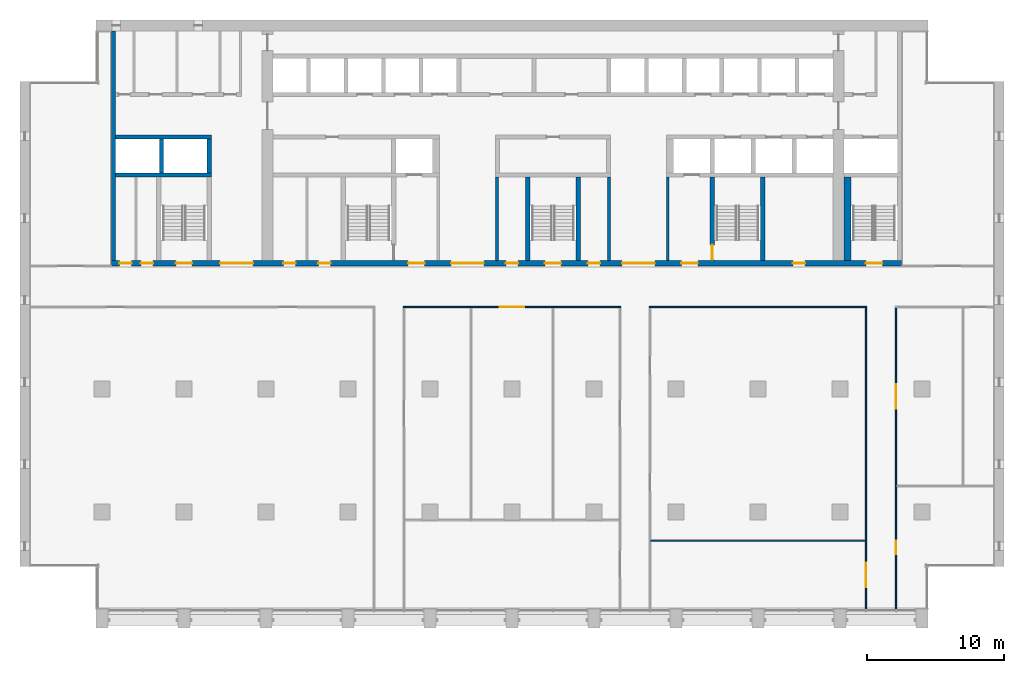
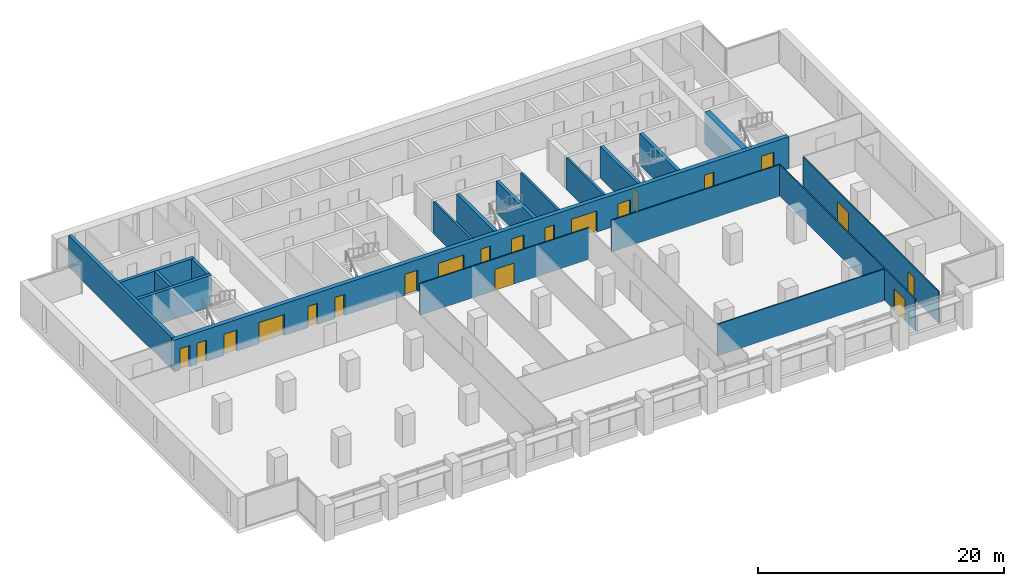
# One storey, part 9 of 15: 20 doors, 19 walls, 20 openings.
"""IFC4 building model written with IfcOpenShell, lengths in metres."""

from ifc_helpers import new_model, si_unit, direction, frame, frame_2d, origin, place, context, subcontext, project, spatial, rectangle, extrude, material, layer, layer_set, type_object, element, fill, save


model = new_model("IFC4")

# Units and contexts
model_context = context("Model", 3, precision=1e-05, world=origin(), true_north=direction((0.0, 1.0)))
body_context = subcontext(model_context, "Body", "Model", "MODEL_VIEW")
ifc_project = project(units=[si_unit("LENGTHUNIT", "METRE"), si_unit("AREAUNIT", "SQUARE_METRE"), si_unit("VOLUMEUNIT", "CUBIC_METRE"), si_unit("PLANEANGLEUNIT", "RADIAN"), si_unit("MASSUNIT", "GRAM", prefix="KILO")], contexts=[model_context])

# Site, building, storey
site_placement = place(None, origin())
site = spatial("IfcSite", under=ifc_project, at=site_placement, CompositionType="ELEMENT")
building_placement = place(site_placement, origin())
building = spatial("IfcBuilding", under=site, at=building_placement, Name="Calvaro Tower", CompositionType="ELEMENT")
storey_placement = place(building_placement, frame((0.0, 0.0, 155.0)))
storey = spatial("IfcBuildingStorey", under=building, at=storey_placement, Name="L39", CompositionType="ELEMENT", Elevation=155.0)

# Walls
ifc_material_1 = material(Name="Blockwork partition", Category="masonry")
ifc_layer_1 = layer(ifc_material_1, 0.199951171875)
ifc_layer_set_1 = layer_set([ifc_layer_1], Name="Blockwork partition")
wall_type_1 = type_object("IfcWallType", Name="Core partition 200 REI 120", PredefinedType="PARTITIONING", material=ifc_layer_set_1)
for number, where, z_axis, x_axis, name in (
    (1, (34.89990234375, 28.39990234375, 0.0), (0.0, 0.0, 1.0), (0.0, 1.0, 0.0), "Core partition"),
    (2, (43.10009765625, 28.39990234375, 0.0), (0.0, 0.0, 1.0), (0.0, 1.0, 0.0), "Core partition"),
    (3, (47.39990234375, 28.39990234375, 0.0), (0.0, 0.0, 1.0), (0.0, 1.0, 0.0), "Core partition"),
):
    element("IfcWall", number, at=place(storey_placement, frame(where, z_axis=z_axis, x_axis=x_axis)), inside=storey, type_object=wall_type_1, Name=name, PredefinedType="PARTITIONING", context=body_context, shape_type="SweptSolid", body=[
        extrude(rectangle(XDim=6.10009765625, YDim=0.199951171875, at=frame_2d((3.050048828125, 0.0))), origin(), (0.0, 0.0, 1.0), 3.14990234375),
    ])
ifc_material_2 = material(Name="Concrete C60/75", Category="concrete")
ifc_layer_2 = layer(ifc_material_2, 0.300048828125)
ifc_layer_set_2 = layer_set([ifc_layer_2], Name="Concrete C60/75")
wall_type_2 = type_object("IfcWallType", Name="Core wall C60/75 300", PredefinedType="SHEAR", material=ifc_layer_set_2)
wall_1_placement = place(storey_placement, frame((6.85009765625, 28.39990234375, 0.0), z_axis=(0.0, 0.0, 1.0), x_axis=(0.0, 1.0, 0.0)))
element("IfcWall", 4, at=wall_1_placement, inside=storey, type_object=wall_type_2, Name="Core wall, boundary", PredefinedType="SHEAR", context=body_context, shape_type="SweptSolid", body=[
    extrude(rectangle(XDim=16.800048828125, YDim=0.300048828125, at=frame_2d((8.39990234375, 0.0))), origin(), (0.0, 0.0, 1.0), 3.14990234375),
])
for number, where, z_axis, x_axis, name in (
    (5, (37.14990234375, 28.39990234375, 0.0), (0.0, 0.0, 1.0), (0.0, 1.0, 0.0), "Core wall, stair enclosure"),
    (6, (40.85009765625, 28.39990234375, 0.0), (0.0, 0.0, 1.0), (0.0, 1.0, 0.0), "Core wall, stair enclosure"),
):
    element("IfcWall", number, at=place(storey_placement, frame(where, z_axis=z_axis, x_axis=x_axis)), inside=storey, type_object=wall_type_2, Name=name, PredefinedType="SHEAR", context=body_context, shape_type="SweptSolid", body=[
        extrude(rectangle(XDim=6.10009765625, YDim=0.300048828125, at=frame_2d((3.050048828125, 0.0))), origin(), (0.0, 0.0, 1.0), 3.14990234375),
    ])

# Wall, opening, door
wall_2_placement = place(storey_placement, frame((50.64990234375, 34.5, 0.0), z_axis=(0.0, 0.0, 1.0), x_axis=(0.0, -1.0, 0.0)))
wall_2 = element("IfcWall", 7, at=wall_2_placement, inside=storey, type_object=wall_type_2, Name="Core wall, stair enclosure", PredefinedType="SHEAR", context=body_context, shape_type="SweptSolid", body=[
    extrude(rectangle(XDim=6.10009765625, YDim=0.300048828125, at=frame_2d((3.050048828125, 0.0))), origin(), (0.0, 0.0, 1.0), 3.14990234375),
])
opening_1_placement = place(wall_2_placement, frame((4.949951171875, 0.0, 0.0)))
opening_1 = element("IfcOpeningElement", 8, at=opening_1_placement, cuts=wall_2, Name="Opening FD11D", PredefinedType="OPENING", context=body_context, shape_type="SweptSolid", body=[
    extrude(rectangle(XDim=1.10009765625, YDim=2.10009765625, at=frame_2d((0.550048828125, 1.050048828125))), frame((0.0, 0.159912109375, 0.0), z_axis=(0.0, -1.0, 0.0), x_axis=(1.0, 0.0, 0.0)), (0.0, 0.0, 1.0), 0.320068359375),
])
ifc_material_3 = material(Name="Steel door set", Category="steel")
door_type_1 = type_object("IfcDoorType", Name="Fire door 1100 FD30S", OperationType="SINGLE_SWING_LEFT", PredefinedType="DOOR", material=ifc_material_3)
door_1_placement = place(opening_1_placement, origin())
door_1 = element("IfcDoor", 9, at=door_1_placement, inside=storey, type_object=door_type_1, Name="Fire door", OperationType="SINGLE_SWING_RIGHT", OverallHeight=2.10009765625, OverallWidth=1.10009765625, PredefinedType="DOOR", context=body_context, shape_type="SweptSolid", body=[
    extrude(rectangle(XDim=1.10009765625, YDim=2.10009765625, at=frame_2d((0.550048828125, 1.050048828125))), frame((0.0, 0.02490234375, 0.0), z_axis=(0.0, -1.0, 0.0), x_axis=(1.0, 0.0, 0.0)), (0.0, 0.0, 1.0), 0.050048828125),
])
fill(opening_1, door_1)

# Walls
wall_3_placement = place(storey_placement, frame((54.35009765625, 28.39990234375, 0.0), z_axis=(0.0, 0.0, 1.0), x_axis=(0.0, 1.0, 0.0)))
element("IfcWall", 10, at=wall_3_placement, inside=storey, type_object=wall_type_2, Name="Core wall, stair enclosure", PredefinedType="SHEAR", context=body_context, shape_type="SweptSolid", body=[
    extrude(rectangle(XDim=6.10009765625, YDim=0.300048828125, at=frame_2d((3.050048828125, 0.0))), origin(), (0.0, 0.0, 1.0), 3.14990234375),
])
for number, where, z_axis, x_axis, name in (
    (11, (7.0, 34.64990234375, 0.0), (0.0, 0.0, 1.0), (1.0, 0.0, 0.0), "Core wall, lift shaft"),
    (12, (7.0, 37.449951171875, 0.0), (0.0, 0.0, 1.0), (1.0, 0.0, 0.0), "Core wall, lift shaft"),
):
    element("IfcWall", number, at=place(storey_placement, frame(where, z_axis=z_axis, x_axis=x_axis)), inside=storey, type_object=wall_type_2, Name=name, PredefinedType="SHEAR", context=body_context, shape_type="SweptSolid", body=[
        extrude(rectangle(XDim=7.0, YDim=0.300048828125, at=frame_2d((3.5, 0.0))), origin(), (0.0, 0.0, 1.0), 3.14990234375),
    ])
for number, where, z_axis, x_axis, name in (
    (13, (13.85009765625, 34.800048828125, 0.0), (0.0, 0.0, 1.0), (0.0, 1.0, 0.0), "Core wall, lift shaft"),
    (14, (10.35009765625, 34.800048828125, 0.0), (0.0, 0.0, 1.0), (0.0, 1.0, 0.0), "Core wall, lift shaft"),
):
    element("IfcWall", number, at=place(storey_placement, frame(where, z_axis=z_axis, x_axis=x_axis)), inside=storey, type_object=wall_type_2, Name=name, PredefinedType="SHEAR", context=body_context, shape_type="SweptSolid", body=[
        extrude(rectangle(XDim=2.5, YDim=0.300048828125, at=frame_2d((1.25, 0.0))), origin(), (0.0, 0.0, 1.0), 3.14990234375),
    ])

# Wall, openings, doors
ifc_material_4 = material(Name="Concrete C60/75", Category="concrete")
ifc_layer_3 = layer(ifc_material_4, 0.39990234375)
ifc_layer_set_3 = layer_set([ifc_layer_3], Name="Concrete C60/75")
wall_type_3 = type_object("IfcWallType", Name="Core wall C60/75 400", PredefinedType="SHEAR", material=ifc_layer_set_3)
wall_4_placement = place(storey_placement, frame((6.699951171875, 28.199951171875, 0.0), z_axis=(0.0, 0.0, 1.0), x_axis=(1.0, 0.0, 0.0)))
wall_4 = element("IfcWall", 15, at=wall_4_placement, inside=storey, type_object=wall_type_3, Name="Core wall, front", PredefinedType="SHEAR", context=body_context, shape_type="SweptSolid", body=[
    extrude(rectangle(XDim=57.800048828125, YDim=0.39990234375, at=frame_2d((28.89990234375, 0.0))), origin(), (0.0, 0.0, 1.0), 3.14990234375),
])
opening_2_placement = place(wall_4_placement, frame((12.5625, 0.0, 0.0)))
opening_2 = element("IfcOpeningElement", 16, at=opening_2_placement, cuts=wall_4, Name="Opening RD9E", PredefinedType="OPENING", context=body_context, shape_type="SweptSolid", body=[
    extrude(rectangle(XDim=0.89990234375, YDim=2.10009765625, at=frame_2d((0.449951171875, 1.050048828125))), frame((0.0, 0.2099609375, 0.0), z_axis=(0.0, -1.0, 0.0), x_axis=(1.0, 0.0, 0.0)), (0.0, 0.0, 1.0), 0.419921875),
])
opening_3_placement = place(wall_4_placement, frame((15.137451171875, 0.0, 0.0)))
opening_3 = element("IfcOpeningElement", 17, at=opening_3_placement, cuts=wall_4, Name="Opening RD9C", PredefinedType="OPENING", context=body_context, shape_type="SweptSolid", body=[
    extrude(rectangle(XDim=0.89990234375, YDim=2.10009765625, at=frame_2d((0.449951171875, 1.050048828125))), frame((0.0, 0.2099609375, 0.0), z_axis=(0.0, -1.0, 0.0), x_axis=(1.0, 0.0, 0.0)), (0.0, 0.0, 1.0), 0.419921875),
])
opening_4_placement = place(wall_4_placement, frame((49.85009765625, 0.0, 0.0)))
opening_4 = element("IfcOpeningElement", 18, at=opening_4_placement, cuts=wall_4, Name="Opening RD9E", PredefinedType="OPENING", context=body_context, shape_type="SweptSolid", body=[
    extrude(rectangle(XDim=0.89990234375, YDim=2.10009765625, at=frame_2d((0.449951171875, 1.050048828125))), frame((0.0, 0.2099609375, 0.0), z_axis=(0.0, -1.0, 0.0), x_axis=(1.0, 0.0, 0.0)), (0.0, 0.0, 1.0), 0.419921875),
])
opening_5_placement = place(wall_4_placement, frame((0.5625, 0.0, 0.0)))
opening_5 = element("IfcOpeningElement", 19, at=opening_5_placement, cuts=wall_4, Name="Opening RD9C", PredefinedType="OPENING", context=body_context, shape_type="SweptSolid", body=[
    extrude(rectangle(XDim=0.89990234375, YDim=2.10009765625, at=frame_2d((0.449951171875, 1.050048828125))), frame((0.0, 0.2099609375, 0.0), z_axis=(0.0, -1.0, 0.0), x_axis=(1.0, 0.0, 0.0)), (0.0, 0.0, 1.0), 0.419921875),
])
opening_6_placement = place(wall_4_placement, frame((2.137451171875, 0.0, 0.0)))
opening_6 = element("IfcOpeningElement", 20, at=opening_6_placement, cuts=wall_4, Name="Opening RD9E", PredefinedType="OPENING", context=body_context, shape_type="SweptSolid", body=[
    extrude(rectangle(XDim=0.89990234375, YDim=2.10009765625, at=frame_2d((0.449951171875, 1.050048828125))), frame((0.0, 0.2099609375, 0.0), z_axis=(0.0, -1.0, 0.0), x_axis=(1.0, 0.0, 0.0)), (0.0, 0.0, 1.0), 0.419921875),
])
opening_7_placement = place(wall_4_placement, frame((4.699951171875, 0.0, 0.0)))
opening_7 = element("IfcOpeningElement", 21, at=opening_7_placement, cuts=wall_4, Name="Opening SD12D", PredefinedType="OPENING", context=body_context, shape_type="SweptSolid", body=[
    extrude(rectangle(XDim=1.199951171875, YDim=2.10009765625, at=frame_2d((0.60009765625, 1.050048828125))), frame((0.0, 0.2099609375, 0.0), z_axis=(0.0, -1.0, 0.0), x_axis=(1.0, 0.0, 0.0)), (0.0, 0.0, 1.0), 0.419921875),
])
opening_8_placement = place(wall_4_placement, frame((31.699951171875, 0.0, 0.0)))
opening_8 = element("IfcOpeningElement", 22, at=opening_8_placement, cuts=wall_4, Name="Opening SD12D", PredefinedType="OPENING", context=body_context, shape_type="SweptSolid", body=[
    extrude(rectangle(XDim=1.199951171875, YDim=2.10009765625, at=frame_2d((0.60009765625, 1.050048828125))), frame((0.0, 0.2099609375, 0.0), z_axis=(0.0, -1.0, 0.0), x_axis=(1.0, 0.0, 0.0)), (0.0, 0.0, 1.0), 0.419921875),
])
opening_9_placement = place(wall_4_placement, frame((55.199951171875, 0.0, 0.0)))
opening_9 = element("IfcOpeningElement", 23, at=opening_9_placement, cuts=wall_4, Name="Opening SD12D", PredefinedType="OPENING", context=body_context, shape_type="SweptSolid", body=[
    extrude(rectangle(XDim=1.199951171875, YDim=2.10009765625, at=frame_2d((0.60009765625, 1.050048828125))), frame((0.0, 0.2099609375, 0.0), z_axis=(0.0, -1.0, 0.0), x_axis=(1.0, 0.0, 0.0)), (0.0, 0.0, 1.0), 0.419921875),
])
opening_10_placement = place(wall_4_placement, frame((21.699951171875, 0.0, 0.0)))
opening_10 = element("IfcOpeningElement", 24, at=opening_10_placement, cuts=wall_4, Name="Opening FD12F", PredefinedType="OPENING", context=body_context, shape_type="SweptSolid", body=[
    extrude(rectangle(XDim=1.199951171875, YDim=2.10009765625, at=frame_2d((0.60009765625, 1.050048828125))), frame((0.0, 0.2099609375, 0.0), z_axis=(0.0, -1.0, 0.0), x_axis=(1.0, 0.0, 0.0)), (0.0, 0.0, 1.0), 0.419921875),
])
opening_11_placement = place(wall_4_placement, frame((41.699951171875, 0.0, 0.0)))
opening_11 = element("IfcOpeningElement", 25, at=opening_11_placement, cuts=wall_4, Name="Opening FD12F", PredefinedType="OPENING", context=body_context, shape_type="SweptSolid", body=[
    extrude(rectangle(XDim=1.199951171875, YDim=2.10009765625, at=frame_2d((0.60009765625, 1.050048828125))), frame((0.0, 0.2099609375, 0.0), z_axis=(0.0, -1.0, 0.0), x_axis=(1.0, 0.0, 0.0)), (0.0, 0.0, 1.0), 0.419921875),
])
opening_12_placement = place(wall_4_placement, frame((24.85009765625, 0.0, 0.0)))
opening_12 = element("IfcOpeningElement", 26, at=opening_12_placement, cuts=wall_4, Name="Opening DD24D", PredefinedType="OPENING", context=body_context, shape_type="SweptSolid", body=[
    extrude(rectangle(XDim=2.39990234375, YDim=2.10009765625, at=frame_2d((1.199951171875, 1.050048828125))), frame((0.0, 0.2099609375, 0.0), z_axis=(0.0, -1.0, 0.0), x_axis=(1.0, 0.0, 0.0)), (0.0, 0.0, 1.0), 0.419921875),
])
opening_13_placement = place(wall_4_placement, frame((37.35009765625, 0.0, 0.0)))
opening_13 = element("IfcOpeningElement", 27, at=opening_13_placement, cuts=wall_4, Name="Opening DD24D", PredefinedType="OPENING", context=body_context, shape_type="SweptSolid", body=[
    extrude(rectangle(XDim=2.39990234375, YDim=2.10009765625, at=frame_2d((1.199951171875, 1.050048828125))), frame((0.0, 0.2099609375, 0.0), z_axis=(0.0, -1.0, 0.0), x_axis=(1.0, 0.0, 0.0)), (0.0, 0.0, 1.0), 0.419921875),
])
opening_14_placement = place(wall_4_placement, frame((7.949951171875, 0.0, 0.0)))
opening_14 = element("IfcOpeningElement", 28, at=opening_14_placement, cuts=wall_4, Name="Opening DD24D", PredefinedType="OPENING", context=body_context, shape_type="SweptSolid", body=[
    extrude(rectangle(XDim=2.39990234375, YDim=2.10009765625, at=frame_2d((1.199951171875, 1.050048828125))), frame((0.0, 0.2099609375, 0.0), z_axis=(0.0, -1.0, 0.0), x_axis=(1.0, 0.0, 0.0)), (0.0, 0.0, 1.0), 0.419921875),
])
opening_15_placement = place(wall_4_placement, frame((28.85009765625, 0.0, 0.0)))
opening_15 = element("IfcOpeningElement", 29, at=opening_15_placement, cuts=wall_4, Name="Opening RD9E", PredefinedType="OPENING", context=body_context, shape_type="SweptSolid", body=[
    extrude(rectangle(XDim=0.89990234375, YDim=2.10009765625, at=frame_2d((0.449951171875, 1.050048828125))), frame((0.0, 0.2099609375, 0.0), z_axis=(0.0, -1.0, 0.0), x_axis=(1.0, 0.0, 0.0)), (0.0, 0.0, 1.0), 0.419921875),
])
opening_16_placement = place(wall_4_placement, frame((34.85009765625, 0.0, 0.0)))
opening_16 = element("IfcOpeningElement", 30, at=opening_16_placement, cuts=wall_4, Name="Opening RD9E", PredefinedType="OPENING", context=body_context, shape_type="SweptSolid", body=[
    extrude(rectangle(XDim=0.89990234375, YDim=2.10009765625, at=frame_2d((0.449951171875, 1.050048828125))), frame((0.0, 0.2099609375, 0.0), z_axis=(0.0, -1.0, 0.0), x_axis=(1.0, 0.0, 0.0)), (0.0, 0.0, 1.0), 0.419921875),
])
ifc_material_5 = material(Name="Steel door set", Category="steel")
door_type_2 = type_object("IfcDoorType", Name="Fire door 1200 FD60S", OperationType="SINGLE_SWING_LEFT", PredefinedType="DOOR", material=ifc_material_5)
door_2_placement = place(opening_10_placement, origin())
door_2 = element("IfcDoor", 31, at=door_2_placement, inside=storey, type_object=door_type_2, Name="Fire door", OperationType="SINGLE_SWING_LEFT", OverallHeight=2.10009765625, OverallWidth=1.199951171875, PredefinedType="DOOR", context=body_context, shape_type="SweptSolid", body=[
    extrude(rectangle(XDim=1.199951171875, YDim=2.10009765625, at=frame_2d((0.60009765625, 1.050048828125))), frame((0.0, 0.02490234375, 0.0), z_axis=(0.0, -1.0, 0.0), x_axis=(1.0, 0.0, 0.0)), (0.0, 0.0, 1.0), 0.050048828125),
])
fill(opening_10, door_2)
door_3_placement = place(opening_11_placement, origin())
door_3 = element("IfcDoor", 32, at=door_3_placement, inside=storey, type_object=door_type_2, Name="Fire door", OperationType="SINGLE_SWING_LEFT", OverallHeight=2.10009765625, OverallWidth=1.199951171875, PredefinedType="DOOR", context=body_context, shape_type="SweptSolid", body=[
    extrude(rectangle(XDim=1.199951171875, YDim=2.10009765625, at=frame_2d((0.60009765625, 1.050048828125))), frame((0.0, 0.02490234375, 0.0), z_axis=(0.0, -1.0, 0.0), x_axis=(1.0, 0.0, 0.0)), (0.0, 0.0, 1.0), 0.050048828125),
])
fill(opening_11, door_3)
ifc_material_6 = material(Name="Steel door set", Category="steel")
door_type_3 = type_object("IfcDoorType", Name="Lobby double door 2400 FD30S", OperationType="DOUBLE_DOOR_SINGLE_SWING", PredefinedType="DOOR", material=ifc_material_6)
door_4_placement = place(opening_12_placement, origin())
door_4 = element("IfcDoor", 33, at=door_4_placement, inside=storey, type_object=door_type_3, Name="Lobby double door", OperationType="DOUBLE_DOOR_SINGLE_SWING", OverallHeight=2.10009765625, OverallWidth=2.39990234375, PredefinedType="DOOR", context=body_context, shape_type="SweptSolid", body=[
    extrude(rectangle(XDim=2.39990234375, YDim=2.10009765625, at=frame_2d((1.199951171875, 1.050048828125))), frame((0.0, 0.02490234375, 0.0), z_axis=(0.0, -1.0, 0.0), x_axis=(1.0, 0.0, 0.0)), (0.0, 0.0, 1.0), 0.050048828125),
])
fill(opening_12, door_4)
door_5_placement = place(opening_13_placement, origin())
door_5 = element("IfcDoor", 34, at=door_5_placement, inside=storey, type_object=door_type_3, Name="Lobby double door", OperationType="DOUBLE_DOOR_SINGLE_SWING", OverallHeight=2.10009765625, OverallWidth=2.39990234375, PredefinedType="DOOR", context=body_context, shape_type="SweptSolid", body=[
    extrude(rectangle(XDim=2.39990234375, YDim=2.10009765625, at=frame_2d((1.199951171875, 1.050048828125))), frame((0.0, 0.02490234375, 0.0), z_axis=(0.0, -1.0, 0.0), x_axis=(1.0, 0.0, 0.0)), (0.0, 0.0, 1.0), 0.050048828125),
])
fill(opening_13, door_5)
door_6_placement = place(opening_14_placement, origin())
door_6 = element("IfcDoor", 35, at=door_6_placement, inside=storey, type_object=door_type_3, Name="Lobby double door", OperationType="DOUBLE_DOOR_SINGLE_SWING", OverallHeight=2.10009765625, OverallWidth=2.39990234375, PredefinedType="DOOR", context=body_context, shape_type="SweptSolid", body=[
    extrude(rectangle(XDim=2.39990234375, YDim=2.10009765625, at=frame_2d((1.199951171875, 1.050048828125))), frame((0.0, 0.02490234375, 0.0), z_axis=(0.0, -1.0, 0.0), x_axis=(1.0, 0.0, 0.0)), (0.0, 0.0, 1.0), 0.050048828125),
])
fill(opening_14, door_6)
ifc_material_7 = material(Name="Steel door set", Category="steel")
door_type_4 = type_object("IfcDoorType", Name="Room door 900 FD30", OperationType="SINGLE_SWING_LEFT", PredefinedType="DOOR", material=ifc_material_7)
door_7_placement = place(opening_3_placement, origin())
door_7 = element("IfcDoor", 36, at=door_7_placement, inside=storey, type_object=door_type_4, Name="Room door", OperationType="SINGLE_SWING_RIGHT", OverallHeight=2.10009765625, OverallWidth=0.89990234375, PredefinedType="DOOR", context=body_context, shape_type="SweptSolid", body=[
    extrude(rectangle(XDim=0.89990234375, YDim=2.10009765625, at=frame_2d((0.449951171875, 1.050048828125))), frame((0.0, 0.02490234375, 0.0), z_axis=(0.0, -1.0, 0.0), x_axis=(1.0, 0.0, 0.0)), (0.0, 0.0, 1.0), 0.050048828125),
])
fill(opening_3, door_7)
door_8_placement = place(opening_5_placement, origin())
door_8 = element("IfcDoor", 37, at=door_8_placement, inside=storey, type_object=door_type_4, Name="Room door", OperationType="SINGLE_SWING_LEFT", OverallHeight=2.10009765625, OverallWidth=0.89990234375, PredefinedType="DOOR", context=body_context, shape_type="SweptSolid", body=[
    extrude(rectangle(XDim=0.89990234375, YDim=2.10009765625, at=frame_2d((0.449951171875, 1.050048828125))), frame((0.0, 0.02490234375, 0.0), z_axis=(0.0, -1.0, 0.0), x_axis=(1.0, 0.0, 0.0)), (0.0, 0.0, 1.0), 0.050048828125),
])
fill(opening_5, door_8)
ifc_material_8 = material(Name="Steel door set", Category="steel")
door_type_5 = type_object("IfcDoorType", Name="Room door 900 FD60", OperationType="SINGLE_SWING_LEFT", PredefinedType="DOOR", material=ifc_material_8)
door_9_placement = place(opening_2_placement, origin())
door_9 = element("IfcDoor", 38, at=door_9_placement, inside=storey, type_object=door_type_5, Name="Room door", OperationType="SINGLE_SWING_LEFT", OverallHeight=2.10009765625, OverallWidth=0.89990234375, PredefinedType="DOOR", context=body_context, shape_type="SweptSolid", body=[
    extrude(rectangle(XDim=0.89990234375, YDim=2.10009765625, at=frame_2d((0.449951171875, 1.050048828125))), frame((0.0, 0.02490234375, 0.0), z_axis=(0.0, -1.0, 0.0), x_axis=(1.0, 0.0, 0.0)), (0.0, 0.0, 1.0), 0.050048828125),
])
fill(opening_2, door_9)
door_10_placement = place(opening_4_placement, origin())
door_10 = element("IfcDoor", 39, at=door_10_placement, inside=storey, type_object=door_type_5, Name="Room door", OperationType="SINGLE_SWING_LEFT", OverallHeight=2.10009765625, OverallWidth=0.89990234375, PredefinedType="DOOR", context=body_context, shape_type="SweptSolid", body=[
    extrude(rectangle(XDim=0.89990234375, YDim=2.10009765625, at=frame_2d((0.449951171875, 1.050048828125))), frame((0.0, 0.02490234375, 0.0), z_axis=(0.0, -1.0, 0.0), x_axis=(1.0, 0.0, 0.0)), (0.0, 0.0, 1.0), 0.050048828125),
])
fill(opening_4, door_10)
door_11_placement = place(opening_6_placement, origin())
door_11 = element("IfcDoor", 40, at=door_11_placement, inside=storey, type_object=door_type_5, Name="Room door", OperationType="SINGLE_SWING_LEFT", OverallHeight=2.10009765625, OverallWidth=0.89990234375, PredefinedType="DOOR", context=body_context, shape_type="SweptSolid", body=[
    extrude(rectangle(XDim=0.89990234375, YDim=2.10009765625, at=frame_2d((0.449951171875, 1.050048828125))), frame((0.0, 0.02490234375, 0.0), z_axis=(0.0, -1.0, 0.0), x_axis=(1.0, 0.0, 0.0)), (0.0, 0.0, 1.0), 0.050048828125),
])
fill(opening_6, door_11)
door_12_placement = place(opening_15_placement, origin())
door_12 = element("IfcDoor", 41, at=door_12_placement, inside=storey, type_object=door_type_5, Name="Room door", OperationType="SINGLE_SWING_LEFT", OverallHeight=2.10009765625, OverallWidth=0.89990234375, PredefinedType="DOOR", context=body_context, shape_type="SweptSolid", body=[
    extrude(rectangle(XDim=0.89990234375, YDim=2.10009765625, at=frame_2d((0.449951171875, 1.050048828125))), frame((0.0, 0.02490234375, 0.0), z_axis=(0.0, -1.0, 0.0), x_axis=(1.0, 0.0, 0.0)), (0.0, 0.0, 1.0), 0.050048828125),
])
fill(opening_15, door_12)
door_13_placement = place(opening_16_placement, origin())
door_13 = element("IfcDoor", 42, at=door_13_placement, inside=storey, type_object=door_type_5, Name="Room door", OperationType="SINGLE_SWING_LEFT", OverallHeight=2.10009765625, OverallWidth=0.89990234375, PredefinedType="DOOR", context=body_context, shape_type="SweptSolid", body=[
    extrude(rectangle(XDim=0.89990234375, YDim=2.10009765625, at=frame_2d((0.449951171875, 1.050048828125))), frame((0.0, 0.02490234375, 0.0), z_axis=(0.0, -1.0, 0.0), x_axis=(1.0, 0.0, 0.0)), (0.0, 0.0, 1.0), 0.050048828125),
])
fill(opening_16, door_13)
ifc_material_9 = material(Name="Steel door set", Category="steel")
door_type_6 = type_object("IfcDoorType", Name="Stair door 1200 FD30S", OperationType="SINGLE_SWING_LEFT", PredefinedType="DOOR", material=ifc_material_9)
door_14_placement = place(opening_7_placement, origin())
door_14 = element("IfcDoor", 43, at=door_14_placement, inside=storey, type_object=door_type_6, Name="Stair door", OperationType="SINGLE_SWING_LEFT", OverallHeight=2.10009765625, OverallWidth=1.199951171875, PredefinedType="DOOR", context=body_context, shape_type="SweptSolid", body=[
    extrude(rectangle(XDim=1.199951171875, YDim=2.10009765625, at=frame_2d((0.60009765625, 1.050048828125))), frame((0.0, 0.02490234375, 0.0), z_axis=(0.0, -1.0, 0.0), x_axis=(1.0, 0.0, 0.0)), (0.0, 0.0, 1.0), 0.050048828125),
])
fill(opening_7, door_14)
door_15_placement = place(opening_8_placement, origin())
door_15 = element("IfcDoor", 44, at=door_15_placement, inside=storey, type_object=door_type_6, Name="Stair door", OperationType="SINGLE_SWING_LEFT", OverallHeight=2.10009765625, OverallWidth=1.199951171875, PredefinedType="DOOR", context=body_context, shape_type="SweptSolid", body=[
    extrude(rectangle(XDim=1.199951171875, YDim=2.10009765625, at=frame_2d((0.60009765625, 1.050048828125))), frame((0.0, 0.02490234375, 0.0), z_axis=(0.0, -1.0, 0.0), x_axis=(1.0, 0.0, 0.0)), (0.0, 0.0, 1.0), 0.050048828125),
])
fill(opening_8, door_15)
door_16_placement = place(opening_9_placement, origin())
door_16 = element("IfcDoor", 45, at=door_16_placement, inside=storey, type_object=door_type_6, Name="Stair door", OperationType="SINGLE_SWING_LEFT", OverallHeight=2.10009765625, OverallWidth=1.199951171875, PredefinedType="DOOR", context=body_context, shape_type="SweptSolid", body=[
    extrude(rectangle(XDim=1.199951171875, YDim=2.10009765625, at=frame_2d((0.60009765625, 1.050048828125))), frame((0.0, 0.02490234375, 0.0), z_axis=(0.0, -1.0, 0.0), x_axis=(1.0, 0.0, 0.0)), (0.0, 0.0, 1.0), 0.050048828125),
])
fill(opening_9, door_16)

# Walls
ifc_material_10 = material(Name="Concrete C60/75", Category="concrete")
ifc_layer_4 = layer(ifc_material_10, 0.5)
ifc_layer_set_4 = layer_set([ifc_layer_4], Name="Concrete C60/75")
wall_type_4 = type_object("IfcWallType", Name="Core wall C60/75 500", PredefinedType="SHEAR", material=ifc_layer_set_4)
wall_5_placement = place(storey_placement, frame((60.550048828125, 28.39990234375, 0.0), z_axis=(0.0, 0.0, 1.0), x_axis=(0.0, 1.0, 0.0)))
element("IfcWall", 46, at=wall_5_placement, inside=storey, type_object=wall_type_4, Name="Core wall, stair enclosure", PredefinedType="SHEAR", context=body_context, shape_type="SweptSolid", body=[
    extrude(rectangle(XDim=6.10009765625, YDim=0.5, at=frame_2d((3.050048828125, 0.0))), origin(), (0.0, 0.0, 1.0), 3.14990234375),
])
ifc_material_11 = material(Name="Plasterboard on steel studs", Category="steel")
ifc_layer_5 = layer(ifc_material_11, 0.10009765625)
ifc_layer_set_5 = layer_set([ifc_layer_5], Name="Plasterboard on steel studs")
wall_type_5 = type_object("IfcWallType", Name="Partition 100", PredefinedType="PARTITIONING", material=ifc_layer_set_5)
wall_6_placement = place(storey_placement, frame((46.14990234375, 7.89990234375, 0.0), z_axis=(0.0, 0.0, 1.0), x_axis=(1.0, 0.0, 0.0)))
element("IfcWall", 47, at=wall_6_placement, inside=storey, type_object=wall_type_5, Name="Partition T23.W001", PredefinedType="PARTITIONING", context=body_context, shape_type="SweptSolid", body=[
    extrude(rectangle(XDim=15.7001953125, YDim=0.10009765625, at=frame_2d((7.85009765625, 0.0))), origin(), (0.0, 0.0, 1.0), 3.14990234375),
])

# Wall, opening, door
wall_7_placement = place(storey_placement, frame((28.050048828125, 25.0, 0.0), z_axis=(0.0, 0.0, 1.0), x_axis=(1.0, 0.0, 0.0)))
wall_7 = element("IfcWall", 48, at=wall_7_placement, inside=storey, type_object=wall_type_5, Name="Partition T23.W005", PredefinedType="PARTITIONING", context=body_context, shape_type="SweptSolid", body=[
    extrude(rectangle(XDim=15.89990234375, YDim=0.10009765625, at=frame_2d((7.949951171875, 0.0))), origin(), (0.0, 0.0, 1.0), 3.14990234375),
])
opening_17_placement = place(wall_7_placement, frame((7.050048828125, 0.0, 0.0)))
opening_17 = element("IfcOpeningElement", 49, at=opening_17_placement, cuts=wall_7, Name="Opening T23.009", PredefinedType="OPENING", context=body_context, shape_type="SweptSolid", body=[
    extrude(rectangle(XDim=1.800048828125, YDim=2.10009765625, at=frame_2d((0.89990234375, 1.050048828125))), frame((0.0, 0.06005859375, 0.0), z_axis=(0.0, -1.0, 0.0), x_axis=(1.0, 0.0, 0.0)), (0.0, 0.0, 1.0), 0.1201171875),
])
ifc_material_12 = material(Name="Timber", Category="wood")
door_type_7 = type_object("IfcDoorType", Name="Internal double door 1800 x 2100", OperationType="DOUBLE_DOOR_SINGLE_SWING", PredefinedType="DOOR", material=ifc_material_12)
door_17_placement = place(opening_17_placement, origin())
door_17 = element("IfcDoor", 50, at=door_17_placement, inside=storey, type_object=door_type_7, Name="Door T23.009", OperationType="DOUBLE_DOOR_SINGLE_SWING", OverallHeight=2.10009765625, OverallWidth=1.800048828125, PredefinedType="DOOR", context=body_context, shape_type="SweptSolid", body=[
    extrude(rectangle(XDim=1.800048828125, YDim=2.10009765625, at=frame_2d((0.89990234375, 1.050048828125))), frame((0.0, 0.02490234375, 0.0), z_axis=(0.0, -1.0, 0.0), x_axis=(1.0, 0.0, 0.0)), (0.0, 0.0, 1.0), 0.050048828125),
])
fill(opening_17, door_17)

# Wall
wall_8_placement = place(storey_placement, frame((46.050048828125, 25.0, 0.0), z_axis=(0.0, 0.0, 1.0), x_axis=(1.0, 0.0, 0.0)))
element("IfcWall", 51, at=wall_8_placement, inside=storey, type_object=wall_type_5, Name="Partition T23.W006", PredefinedType="PARTITIONING", context=body_context, shape_type="SweptSolid", body=[
    extrude(rectangle(XDim=15.89990234375, YDim=0.10009765625, at=frame_2d((7.949951171875, 0.0))), origin(), (0.0, 0.0, 1.0), 3.14990234375),
])

# Wall, opening, door
wall_9_placement = place(storey_placement, frame((61.89990234375, 2.89990234375, 0.0), z_axis=(0.0, 0.0, 1.0), x_axis=(0.0, 1.0, 0.0)))
wall_9 = element("IfcWall", 52, at=wall_9_placement, inside=storey, type_object=wall_type_5, Name="Partition T23.W016", PredefinedType="PARTITIONING", context=body_context, shape_type="SweptSolid", body=[
    extrude(rectangle(XDim=22.050048828125, YDim=0.10009765625, at=frame_2d((11.02490234375, 0.0))), origin(), (0.0, 0.0, 1.0), 3.14990234375),
])
opening_18_placement = place(wall_9_placement, frame((1.60009765625, 0.0, 0.0)))
opening_18 = element("IfcOpeningElement", 53, at=opening_18_placement, cuts=wall_9, Name="Opening T23.001", PredefinedType="OPENING", context=body_context, shape_type="SweptSolid", body=[
    extrude(rectangle(XDim=1.800048828125, YDim=2.10009765625, at=frame_2d((0.89990234375, 1.050048828125))), frame((0.0, 0.06005859375, 0.0), z_axis=(0.0, -1.0, 0.0), x_axis=(1.0, 0.0, 0.0)), (0.0, 0.0, 1.0), 0.1201171875),
])
door_18_placement = place(opening_18_placement, origin())
door_18 = element("IfcDoor", 54, at=door_18_placement, inside=storey, type_object=door_type_7, Name="Door T23.001", OperationType="DOUBLE_DOOR_SINGLE_SWING", OverallHeight=2.10009765625, OverallWidth=1.800048828125, PredefinedType="DOOR", context=body_context, shape_type="SweptSolid", body=[
    extrude(rectangle(XDim=1.800048828125, YDim=2.10009765625, at=frame_2d((0.89990234375, 1.050048828125))), frame((0.0, 0.02490234375, 0.0), z_axis=(0.0, -1.0, 0.0), x_axis=(1.0, 0.0, 0.0)), (0.0, 0.0, 1.0), 0.050048828125),
])
fill(opening_18, door_18)

# Wall, openings, doors
wall_10_placement = place(storey_placement, frame((64.10009765625, 2.89990234375, 0.0), z_axis=(0.0, 0.0, 1.0), x_axis=(0.0, 1.0, 0.0)))
wall_10 = element("IfcWall", 55, at=wall_10_placement, inside=storey, type_object=wall_type_5, Name="Partition T23.W017", PredefinedType="PARTITIONING", context=body_context, shape_type="SweptSolid", body=[
    extrude(rectangle(XDim=22.050048828125, YDim=0.10009765625, at=frame_2d((11.02490234375, 0.0))), origin(), (0.0, 0.0, 1.0), 3.14990234375),
])
opening_19_placement = place(wall_10_placement, frame((4.0, 0.0, 0.0)))
opening_19 = element("IfcOpeningElement", 56, at=opening_19_placement, cuts=wall_10, Name="Opening T23.003", PredefinedType="OPENING", context=body_context, shape_type="SweptSolid", body=[
    extrude(rectangle(XDim=1.0, YDim=2.10009765625, at=frame_2d((0.5, 1.050048828125))), frame((0.0, 0.06005859375, 0.0), z_axis=(0.0, -1.0, 0.0), x_axis=(1.0, 0.0, 0.0)), (0.0, 0.0, 1.0), 0.1201171875),
])
opening_20_placement = place(wall_10_placement, frame((14.64990234375, 0.0, 0.0)))
opening_20 = element("IfcOpeningElement", 57, at=opening_20_placement, cuts=wall_10, Name="Opening T23.011", PredefinedType="OPENING", context=body_context, shape_type="SweptSolid", body=[
    extrude(rectangle(XDim=1.800048828125, YDim=2.10009765625, at=frame_2d((0.89990234375, 1.050048828125))), frame((0.0, 0.06005859375, 0.0), z_axis=(0.0, -1.0, 0.0), x_axis=(1.0, 0.0, 0.0)), (0.0, 0.0, 1.0), 0.1201171875),
])
door_19_placement = place(opening_20_placement, origin())
door_19 = element("IfcDoor", 58, at=door_19_placement, inside=storey, type_object=door_type_7, Name="Door T23.011", OperationType="DOUBLE_DOOR_SINGLE_SWING", OverallHeight=2.10009765625, OverallWidth=1.800048828125, PredefinedType="DOOR", context=body_context, shape_type="SweptSolid", body=[
    extrude(rectangle(XDim=1.800048828125, YDim=2.10009765625, at=frame_2d((0.89990234375, 1.050048828125))), frame((0.0, 0.02490234375, 0.0), z_axis=(0.0, -1.0, 0.0), x_axis=(1.0, 0.0, 0.0)), (0.0, 0.0, 1.0), 0.050048828125),
])
fill(opening_20, door_19)
ifc_material_13 = material(Name="Timber", Category="wood")
door_type_8 = type_object("IfcDoorType", Name="Internal single door 1000 x 2100", OperationType="SINGLE_SWING_LEFT", PredefinedType="DOOR", material=ifc_material_13)
door_20_placement = place(opening_19_placement, origin())
door_20 = element("IfcDoor", 59, at=door_20_placement, inside=storey, type_object=door_type_8, Name="Door T23.003", OperationType="SINGLE_SWING_LEFT", OverallHeight=2.10009765625, OverallWidth=1.0, PredefinedType="DOOR", context=body_context, shape_type="SweptSolid", body=[
    extrude(rectangle(XDim=1.0, YDim=2.10009765625, at=frame_2d((0.5, 1.050048828125))), frame((0.0, 0.02490234375, 0.0), z_axis=(0.0, -1.0, 0.0), x_axis=(1.0, 0.0, 0.0)), (0.0, 0.0, 1.0), 0.050048828125),
])
fill(opening_19, door_20)

save(model, "model.ifc")
